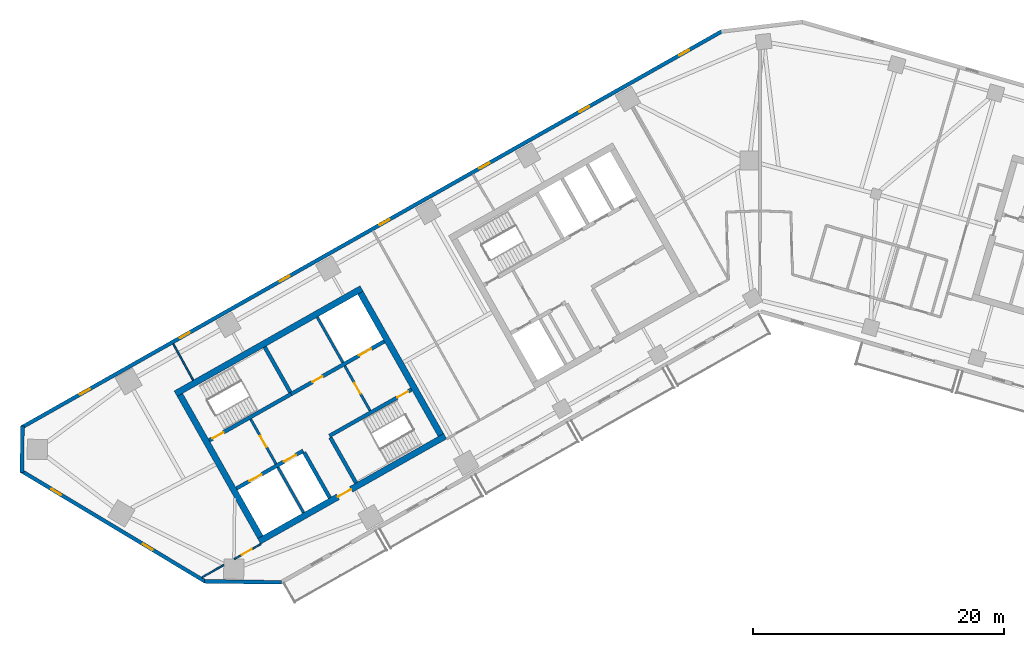
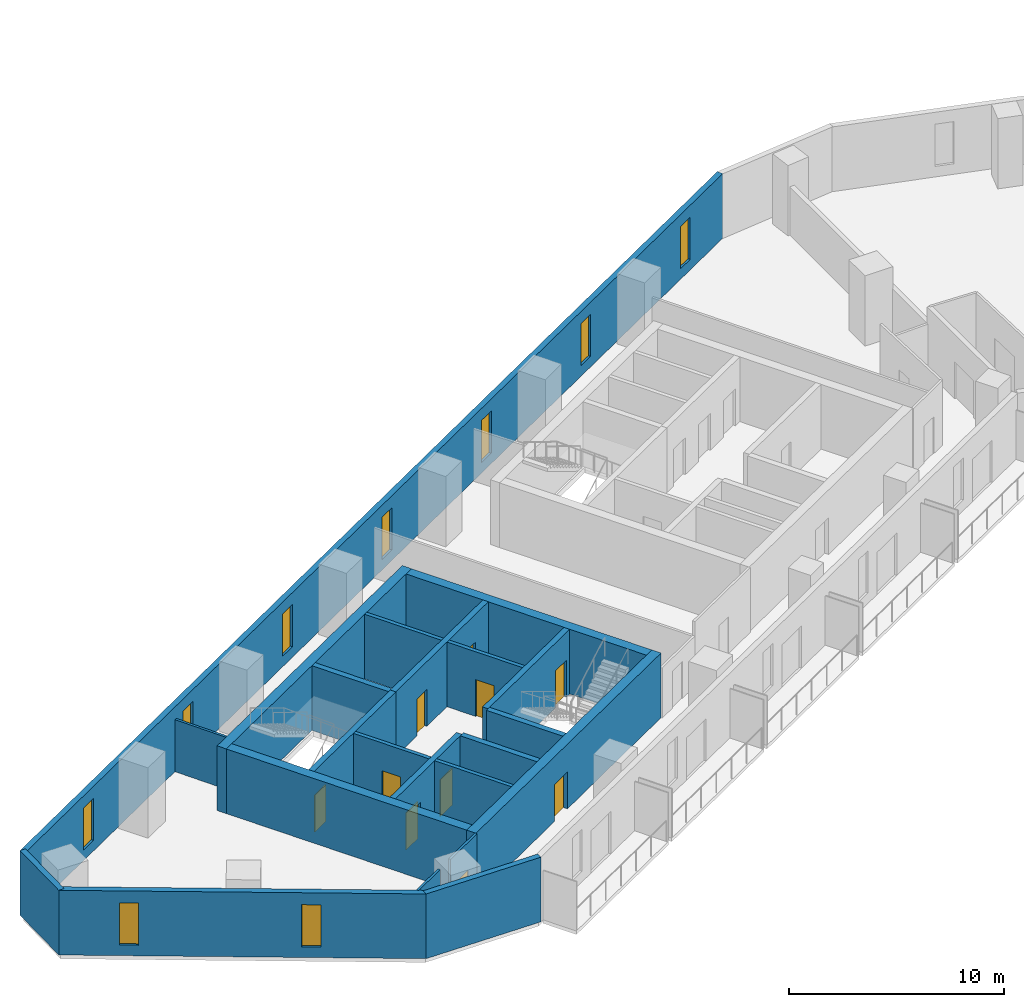
# One storey, part 3 of 9: 22 walls, 10 doors, 9 windows, 19 openings.
"""IFC4 building model written with IfcOpenShell, lengths in metres."""

from ifc_helpers import new_model, si_unit, direction, frame, frame_2d, origin, place, context, subcontext, project, spatial, rectangle, extrude, material, layer, layer_set, type_object, element, fill, save


model = new_model("IFC4")

# Units and contexts
model_context = context("Model", 3, precision=1e-05, world=origin(), true_north=direction((0.0, 1.0)))
body_context = subcontext(model_context, "Body", "Model", "MODEL_VIEW")
ifc_project = project(units=[si_unit("LENGTHUNIT", "METRE"), si_unit("AREAUNIT", "SQUARE_METRE"), si_unit("VOLUMEUNIT", "CUBIC_METRE"), si_unit("PLANEANGLEUNIT", "RADIAN"), si_unit("MASSUNIT", "GRAM", prefix="KILO")], contexts=[model_context])

# Site, building, storey
site_placement = place(None, origin())
site = spatial("IfcSite", under=ifc_project, at=site_placement, CompositionType="ELEMENT")
building_placement = place(site_placement, origin())
building = spatial("IfcBuilding", under=site, at=building_placement, Name="Binnacle Exchange Tower", CompositionType="ELEMENT")
storey_placement = place(building_placement, frame((0.0, 0.0, 158.89990234375)))
storey = spatial("IfcBuildingStorey", under=building, at=storey_placement, Name="L33", CompositionType="ELEMENT", Elevation=158.89990234375)

# Wall, openings, doors
ifc_material_1 = material(Name="Concrete C70/85", Category="concrete")
ifc_layer_1 = layer(ifc_material_1, 0.300048828125)
ifc_layer_set_1 = layer_set([ifc_layer_1], Name="Core wall - front 300")
wall_type_1 = type_object("IfcWallType", Name="Core wall - front 300", PredefinedType="SOLIDWALL", material=ifc_layer_set_1)
wall_1_placement = place(storey_placement, frame((-41.64306640625, 33.91162109375, 0.0), z_axis=(0.0, 0.0, 1.0), x_axis=(0.870343599782, 0.492444939378, 0.0)))
wall_1 = element("IfcWall", 1, at=wall_1_placement, inside=storey, type_object=wall_type_1, Name="Core wall CRWA2", PredefinedType="SOLIDWALL", context=body_context, shape_type="SweptSolid", body=[
    extrude(rectangle(XDim=6.10009765625, YDim=0.300048828125, at=frame_2d((3.050048828125, 0.0))), origin(), (0.0, 0.0, 1.0), 3.68017578125),
])
opening_1_placement = place(wall_1_placement, frame((1.199951171875, 0.0, 0.0)))
opening_1 = element("IfcOpeningElement", 2, at=opening_1_placement, cuts=wall_1, Name="Opening LD12", PredefinedType="OPENING", context=body_context, shape_type="SweptSolid", body=[
    extrude(rectangle(XDim=1.10009765625, YDim=2.10009765625, at=frame_2d((0.550048828125, 1.050048828125))), frame((0.0, 0.159912109375, 0.0), z_axis=(0.0, -1.0, 0.0), x_axis=(1.0, 0.0, 0.0)), (0.0, 0.0, 1.0), 0.320068359375),
])
opening_2_placement = place(wall_1_placement, frame((4.35009765625, 0.0, 0.0)))
opening_2 = element("IfcOpeningElement", 3, at=opening_2_placement, cuts=wall_1, Name="Opening LD8", PredefinedType="OPENING", context=body_context, shape_type="SweptSolid", body=[
    extrude(rectangle(XDim=1.10009765625, YDim=2.10009765625, at=frame_2d((0.550048828125, 1.050048828125))), frame((0.0, 0.159912109375, 0.0), z_axis=(0.0, -1.0, 0.0), x_axis=(1.0, 0.0, 0.0)), (0.0, 0.0, 1.0), 0.320068359375),
])
ifc_material_2 = material(Name="Steel door leaf", Category="steel")
door_type_1 = type_object("IfcDoorType", Name="Fire door - lift landing 1100", OperationType="NOTDEFINED", PredefinedType="DOOR", material=ifc_material_2)
door_1_placement = place(opening_1_placement, origin())
door_1 = element("IfcDoor", 4, at=door_1_placement, inside=storey, type_object=door_type_1, Name="Landing door LD12 L33", OperationType="DOUBLE_DOOR_SLIDING", OverallHeight=2.10009765625, OverallWidth=1.10009765625, PredefinedType="DOOR", context=body_context, shape_type="SweptSolid", body=[
    extrude(rectangle(XDim=1.10009765625, YDim=2.10009765625, at=frame_2d((0.550048828125, 1.050048828125))), frame((0.0, 0.02490234375, 0.0), z_axis=(0.0, -1.0, 0.0), x_axis=(1.0, 0.0, 0.0)), (0.0, 0.0, 1.0), 0.050048828125),
])
fill(opening_1, door_1)
door_2_placement = place(opening_2_placement, origin())
door_2 = element("IfcDoor", 5, at=door_2_placement, inside=storey, type_object=door_type_1, Name="Landing door LD8 L33", OperationType="DOUBLE_DOOR_SLIDING", OverallHeight=2.10009765625, OverallWidth=1.10009765625, PredefinedType="DOOR", context=body_context, shape_type="SweptSolid", body=[
    extrude(rectangle(XDim=1.10009765625, YDim=2.10009765625, at=frame_2d((0.550048828125, 1.050048828125))), frame((0.0, 0.02490234375, 0.0), z_axis=(0.0, -1.0, 0.0), x_axis=(1.0, 0.0, 0.0)), (0.0, 0.0, 1.0), 0.050048828125),
])
fill(opening_2, door_2)

wall_2_placement = place(storey_placement, frame((-37.281982421875, 41.4345703125, 0.0), z_axis=(0.0, 0.0, 1.0), x_axis=(0.870356271124, 0.492422543467, 0.0)))
wall_2 = element("IfcWall", 6, at=wall_2_placement, inside=storey, type_object=wall_type_1, Name="Core wall CRWA5", PredefinedType="SOLIDWALL", context=body_context, shape_type="SweptSolid", body=[
    extrude(rectangle(XDim=8.5, YDim=0.300048828125, at=frame_2d((4.25, 0.0))), origin(), (0.0, 0.0, 1.0), 3.68017578125),
])
opening_3_placement = place(wall_2_placement, frame((6.199951171875, 0.0, 0.0)))
opening_3 = element("IfcOpeningElement", 7, at=opening_3_placement, cuts=wall_2, Name="Opening LD13", PredefinedType="OPENING", context=body_context, shape_type="SweptSolid", body=[
    extrude(rectangle(XDim=1.10009765625, YDim=2.10009765625, at=frame_2d((0.550048828125, 1.050048828125))), frame((0.0, 0.159912109375, 0.0), z_axis=(0.0, -1.0, 0.0), x_axis=(1.0, 0.0, 0.0)), (0.0, 0.0, 1.0), 0.320068359375),
])
opening_4_placement = place(wall_2_placement, frame((1.949951171875, 0.0, 0.0)))
opening_4 = element("IfcOpeningElement", 8, at=opening_4_placement, cuts=wall_2, Name="Opening DA10", PredefinedType="OPENING", context=body_context, shape_type="SweptSolid", body=[
    extrude(rectangle(XDim=0.89990234375, YDim=2.10009765625, at=frame_2d((0.449951171875, 1.050048828125))), frame((0.0, 0.159912109375, 0.0), z_axis=(0.0, -1.0, 0.0), x_axis=(1.0, 0.0, 0.0)), (0.0, 0.0, 1.0), 0.320068359375),
])
door_3_placement = place(opening_3_placement, origin())
door_3 = element("IfcDoor", 9, at=door_3_placement, inside=storey, type_object=door_type_1, Name="Landing door LD13 L33", OperationType="DOUBLE_DOOR_SLIDING", OverallHeight=2.10009765625, OverallWidth=1.10009765625, PredefinedType="DOOR", context=body_context, shape_type="SweptSolid", body=[
    extrude(rectangle(XDim=1.10009765625, YDim=2.10009765625, at=frame_2d((0.550048828125, 1.050048828125))), frame((0.0, 0.02490234375, 0.0), z_axis=(0.0, -1.0, 0.0), x_axis=(1.0, 0.0, 0.0)), (0.0, 0.0, 1.0), 0.050048828125),
])
fill(opening_3, door_3)
door_type_2 = type_object("IfcDoorType", Name="Fire door 900", OperationType="NOTDEFINED", PredefinedType="DOOR", material=ifc_material_2)
door_4_placement = place(opening_4_placement, origin())
door_4 = element("IfcDoor", 10, at=door_4_placement, inside=storey, type_object=door_type_2, Name="Core room door PANTRY", OperationType="SINGLE_SWING_LEFT", OverallHeight=2.10009765625, OverallWidth=0.89990234375, PredefinedType="DOOR", context=body_context, shape_type="SweptSolid", body=[
    extrude(rectangle(XDim=0.89990234375, YDim=2.10009765625, at=frame_2d((0.449951171875, 1.050048828125))), frame((0.0, 0.02490234375, 0.0), z_axis=(0.0, -1.0, 0.0), x_axis=(1.0, 0.0, 0.0)), (0.0, 0.0, 1.0), 0.050048828125),
])
fill(opening_4, door_4)

# Wall
wall_3_placement = place(storey_placement, frame((-36.260009765625, 36.784912109375, 0.0), z_axis=(0.0, 0.0, 1.0), x_axis=(0.492421666909, -0.870356767055, 0.0)))
element("IfcWall", 11, at=wall_3_placement, inside=storey, type_object=wall_type_1, Name="Core wall CRWA13", PredefinedType="SOLIDWALL", context=body_context, shape_type="SweptSolid", body=[
    extrude(rectangle(XDim=4.14990234375, YDim=0.300048828125, at=frame_2d((2.074951171875, 0.0))), origin(), (0.0, 0.0, 1.0), 3.68017578125),
])

# Wall, opening, door
ifc_layer_2 = layer(ifc_material_1, 0.5)
ifc_layer_set_2 = layer_set([ifc_layer_2], Name="Core wall - outer 500")
wall_type_2 = type_object("IfcWallType", Name="Core wall - outer 500", PredefinedType="SOLIDWALL", material=ifc_layer_set_2)
wall_4_placement = place(storey_placement, frame((-39.837646484375, 29.705322265625, 0.0), z_axis=(0.0, 0.0, 1.0), x_axis=(0.870350116061, 0.492433422375, 0.0)))
wall_4 = element("IfcWall", 12, at=wall_4_placement, inside=storey, type_object=wall_type_2, Name="Core wall CRWA1", PredefinedType="SOLIDWALL", context=body_context, shape_type="SweptSolid", body=[
    extrude(rectangle(XDim=17.0, YDim=0.5, at=frame_2d((8.5, 0.0))), origin(), (0.0, 0.0, 1.0), 3.68017578125),
])
opening_5_placement = place(wall_4_placement, frame((7.199951171875, 0.0, 0.0)))
opening_5 = element("IfcOpeningElement", 13, at=opening_5_placement, cuts=wall_4, Name="Opening DA7", PredefinedType="OPENING", context=body_context, shape_type="SweptSolid", body=[
    extrude(rectangle(XDim=1.199951171875, YDim=2.10009765625, at=frame_2d((0.60009765625, 1.050048828125))), frame((0.0, 0.260009765625, 0.0), z_axis=(0.0, -1.0, 0.0), x_axis=(1.0, 0.0, 0.0)), (0.0, 0.0, 1.0), 0.52001953125),
])
door_type_3 = type_object("IfcDoorType", Name="Fire door 1200", OperationType="NOTDEFINED", PredefinedType="DOOR", material=ifc_material_2)
door_5_placement = place(opening_5_placement, frame((1.199951171875, 0.0, 0.0), z_axis=(0.0, 0.0, 1.0), x_axis=(-1.0, 0.0, 0.0)))
door_5 = element("IfcDoor", 14, at=door_5_placement, inside=storey, type_object=door_type_3, Name="Lift lobby entrance door core A", OperationType="SINGLE_SWING_RIGHT", OverallHeight=2.10009765625, OverallWidth=1.199951171875, PredefinedType="DOOR", context=body_context, shape_type="SweptSolid", body=[
    extrude(rectangle(XDim=1.199951171875, YDim=2.10009765625, at=frame_2d((0.60009765625, 1.050048828125))), frame((0.0, 0.02490234375, 0.0), z_axis=(0.0, -1.0, 0.0), x_axis=(1.0, 0.0, 0.0)), (0.0, 0.0, 1.0), 0.050048828125),
])
fill(opening_5, door_5)

# Walls
wall_5_placement = place(storey_placement, frame((-46.485595703125, 41.455078125, 0.0), z_axis=(0.0, 0.0, 1.0), x_axis=(0.870353598469, 0.492427267353, 0.0)))
element("IfcWall", 15, at=wall_5_placement, inside=storey, type_object=wall_type_2, Name="Core wall CRWA6", PredefinedType="SOLIDWALL", context=body_context, shape_type="SweptSolid", body=[
    extrude(rectangle(XDim=17.000244140625, YDim=0.5, at=frame_2d((8.5, 0.0))), origin(), (0.0, 0.0, 1.0), 3.68017578125),
])
for number, where, z_axis, x_axis, name in (
    (16, (-46.144775390625, 41.360595703125, 0.0), (0.0, 0.0, 1.0), (0.492435316254, -0.870349044525, 0.0), "Core wall CRWA7"),
    (17, (-31.783935546875, 49.485595703125, 0.0), (0.0, 0.0, 1.0), (0.492435316254, -0.870349044525, 0.0), "Core wall CRWA22"),
):
    element("IfcWall", number, at=place(storey_placement, frame(where, z_axis=z_axis, x_axis=x_axis)), inside=storey, type_object=wall_type_2, Name=name, PredefinedType="SOLIDWALL", context=body_context, shape_type="SweptSolid", body=[
        extrude(rectangle(XDim=13.0, YDim=0.5, at=frame_2d((6.5, 0.0))), origin(), (0.0, 0.0, 1.0), 3.68017578125),
    ])

# Wall, opening, door
ifc_layer_3 = layer(ifc_material_1, 0.300048828125)
ifc_layer_set_3 = layer_set([ifc_layer_3], Name="Core wall - stair 300")
wall_type_3 = type_object("IfcWallType", Name="Core wall - stair 300", PredefinedType="SOLIDWALL", material=ifc_layer_set_3)
wall_6_placement = place(storey_placement, frame((-34.2451171875, 38.097412109375, 0.0), z_axis=(0.0, 0.0, 1.0), x_axis=(0.870364520461, 0.492407962489, 0.0)))
wall_6 = element("IfcWall", 18, at=wall_6_placement, inside=storey, type_object=wall_type_3, Name="Core wall CRWA3", PredefinedType="SOLIDWALL", context=body_context, shape_type="SweptSolid", body=[
    extrude(rectangle(XDim=7.5, YDim=0.300048828125, at=frame_2d((3.75, 0.0))), origin(), (0.0, 0.0, 1.0), 3.68017578125),
])
opening_6_placement = place(wall_6_placement, frame((6.199951171875, 0.0, 0.0)))
opening_6 = element("IfcOpeningElement", 19, at=opening_6_placement, cuts=wall_6, Name="Opening DA2", PredefinedType="OPENING", context=body_context, shape_type="SweptSolid", body=[
    extrude(rectangle(XDim=1.0, YDim=2.10009765625, at=frame_2d((0.5, 1.050048828125))), frame((0.0, 0.159912109375, 0.0), z_axis=(0.0, -1.0, 0.0), x_axis=(1.0, 0.0, 0.0)), (0.0, 0.0, 1.0), 0.320068359375),
])
door_type_4 = type_object("IfcDoorType", Name="Fire door 1000", OperationType="NOTDEFINED", PredefinedType="DOOR", material=ifc_material_2)
door_6_placement = place(opening_6_placement, frame((1.0, 0.0, 0.0), z_axis=(0.0, 0.0, 1.0), x_axis=(-1.0, 0.0, 0.0)))
door_6 = element("IfcDoor", 20, at=door_6_placement, inside=storey, type_object=door_type_4, Name="Stair door ST-A2", OperationType="SINGLE_SWING_LEFT", OverallHeight=2.10009765625, OverallWidth=1.0, PredefinedType="DOOR", context=body_context, shape_type="SweptSolid", body=[
    extrude(rectangle(XDim=1.0, YDim=2.10009765625, at=frame_2d((0.5, 1.050048828125))), frame((0.0, 0.02490234375, 0.0), z_axis=(0.0, -1.0, 0.0), x_axis=(1.0, 0.0, 0.0)), (0.0, 0.0, 1.0), 0.050048828125),
])
fill(opening_6, door_6)

wall_7_placement = place(storey_placement, frame((-43.809814453125, 37.7412109375, 0.0), z_axis=(0.0, 0.0, 1.0), x_axis=(0.870350569555, 0.492432620848, 0.0)))
wall_7 = element("IfcWall", 21, at=wall_7_placement, inside=storey, type_object=wall_type_3, Name="Core wall CRWA4", PredefinedType="SOLIDWALL", context=body_context, shape_type="SweptSolid", body=[
    extrude(rectangle(XDim=7.500244140625, YDim=0.300048828125, at=frame_2d((3.75, 0.0))), origin(), (0.0, 0.0, 1.0), 3.68017578125),
])
opening_7_placement = place(wall_7_placement, frame((0.2998046875, 0.0, 0.0)))
opening_7 = element("IfcOpeningElement", 22, at=opening_7_placement, cuts=wall_7, Name="Opening DA1", PredefinedType="OPENING", context=body_context, shape_type="SweptSolid", body=[
    extrude(rectangle(XDim=1.0, YDim=2.10009765625, at=frame_2d((0.5, 1.050048828125))), frame((0.0, 0.159912109375, 0.0), z_axis=(0.0, -1.0, 0.0), x_axis=(1.0, 0.0, 0.0)), (0.0, 0.0, 1.0), 0.320068359375),
])
door_7_placement = place(opening_7_placement, origin())
door_7 = element("IfcDoor", 23, at=door_7_placement, inside=storey, type_object=door_type_4, Name="Stair door ST-A1", OperationType="SINGLE_SWING_LEFT", OverallHeight=2.10009765625, OverallWidth=1.0, PredefinedType="DOOR", context=body_context, shape_type="SweptSolid", body=[
    extrude(rectangle(XDim=1.0, YDim=2.10009765625, at=frame_2d((0.5, 1.050048828125))), frame((0.0, 0.02490234375, 0.0), z_axis=(0.0, -1.0, 0.0), x_axis=(1.0, 0.0, 0.0)), (0.0, 0.0, 1.0), 0.050048828125),
])
fill(opening_7, door_7)

# Walls
for number, where, z_axis, x_axis, name in (
    (24, (-39.3994140625, 45.177001953125, 0.0), (0.0, 0.0, 1.0), (0.492396453737, -0.870371031427, 0.0), "Core wall CRWA14"),
    (25, (-34.171142578125, 37.966796875, 0.0), (0.0, 0.0, 1.0), (0.492396453737, -0.870371031427, 0.0), "Core wall CRWA16"),
):
    element("IfcWall", number, at=place(storey_placement, frame(where, z_axis=z_axis, x_axis=x_axis)), inside=storey, type_object=wall_type_3, Name=name, PredefinedType="SOLIDWALL", context=body_context, shape_type="SweptSolid", body=[
        extrude(rectangle(XDim=4.14990234375, YDim=0.300048828125, at=frame_2d((2.074951171875, 0.0))), origin(), (0.0, 0.0, 1.0), 3.68017578125),
    ])
ifc_material_3 = material(Name="Bronze aluminium cladding", Category="aluminium")
ifc_layer_4 = layer(ifc_material_3, 0.300048828125)
ifc_layer_set_4 = layer_set([ifc_layer_4], Name="External wall - spandrel 300")
wall_type_4 = type_object("IfcWallType", Name="External wall - spandrel 300", PredefinedType="STANDARD", material=ifc_layer_set_4)
wall_8_placement = place(storey_placement, frame((-38.057373046875, 26.44482421875, 0.0), z_axis=(0.0, 0.0, 1.0), x_axis=(-0.999914086342, 0.013108010296, 0.0)))
element("IfcWall", 26, at=wall_8_placement, inside=storey, type_object=wall_type_4, Name="External wall EW-G00 L33", PredefinedType="STANDARD", context=body_context, shape_type="SweptSolid", body=[
    extrude(rectangle(XDim=6.127685546875, YDim=0.300048828125, at=frame_2d((3.06396484375, 0.0))), origin(), (0.0, 0.0, 1.0), 3.68017578125),
])

# Wall, openings, windows
wall_9_placement = place(storey_placement, frame((-58.744873046875, 38.763671875, 0.0), z_axis=(0.0, 0.0, 1.0), x_axis=(0.870355811726, 0.492423355453, 0.0)))
wall_9 = element("IfcWall", 27, at=wall_9_placement, inside=storey, type_object=wall_type_4, Name="External wall EW-G08 L33", PredefinedType="STANDARD", context=body_context, shape_type="SweptSolid", body=[
    extrude(rectangle(XDim=64.025390625, YDim=0.300048828125, at=frame_2d((32.0126953125, 0.0))), origin(), (0.0, 0.0, 1.0), 3.68017578125),
])
opening_8_placement = place(wall_9_placement, frame((60.12158203125, 0.0, 0.60009765625)))
opening_8 = element("IfcOpeningElement", 28, at=opening_8_placement, cuts=wall_9, Name="Opening WS3", PredefinedType="OPENING", context=body_context, shape_type="SweptSolid", body=[
    extrude(rectangle(XDim=0.89990234375, YDim=2.39990234375, at=frame_2d((0.449951171875, 1.199951171875))), frame((0.0, 0.159912109375, 0.0), z_axis=(0.0, -1.0, 0.0), x_axis=(1.0, 0.0, 0.0)), (0.0, 0.0, 1.0), 0.320068359375),
])
opening_9_placement = place(wall_9_placement, frame((50.99169921875, 0.0, 0.60009765625)))
opening_9 = element("IfcOpeningElement", 29, at=opening_9_placement, cuts=wall_9, Name="Opening WS3", PredefinedType="OPENING", context=body_context, shape_type="SweptSolid", body=[
    extrude(rectangle(XDim=0.89990234375, YDim=2.39990234375, at=frame_2d((0.449951171875, 1.199951171875))), frame((0.0, 0.159912109375, 0.0), z_axis=(0.0, -1.0, 0.0), x_axis=(1.0, 0.0, 0.0)), (0.0, 0.0, 1.0), 0.320068359375),
])
opening_10_placement = place(wall_9_placement, frame((41.86181640625, 0.0, 0.60009765625)))
opening_10 = element("IfcOpeningElement", 30, at=opening_10_placement, cuts=wall_9, Name="Opening WS3", PredefinedType="OPENING", context=body_context, shape_type="SweptSolid", body=[
    extrude(rectangle(XDim=0.89990234375, YDim=2.39990234375, at=frame_2d((0.449951171875, 1.199951171875))), frame((0.0, 0.159912109375, 0.0), z_axis=(0.0, -1.0, 0.0), x_axis=(1.0, 0.0, 0.0)), (0.0, 0.0, 1.0), 0.320068359375),
])
opening_11_placement = place(wall_9_placement, frame((32.73193359375, 0.0, 0.60009765625)))
opening_11 = element("IfcOpeningElement", 31, at=opening_11_placement, cuts=wall_9, Name="Opening WS3", PredefinedType="OPENING", context=body_context, shape_type="SweptSolid", body=[
    extrude(rectangle(XDim=0.89990234375, YDim=2.39990234375, at=frame_2d((0.449951171875, 1.199951171875))), frame((0.0, 0.159912109375, 0.0), z_axis=(0.0, -1.0, 0.0), x_axis=(1.0, 0.0, 0.0)), (0.0, 0.0, 1.0), 0.320068359375),
])
opening_12_placement = place(wall_9_placement, frame((23.60205078125, 0.0, 0.60009765625)))
opening_12 = element("IfcOpeningElement", 32, at=opening_12_placement, cuts=wall_9, Name="Opening WS3", PredefinedType="OPENING", context=body_context, shape_type="SweptSolid", body=[
    extrude(rectangle(XDim=0.89990234375, YDim=2.39990234375, at=frame_2d((0.449951171875, 1.199951171875))), frame((0.0, 0.159912109375, 0.0), z_axis=(0.0, -1.0, 0.0), x_axis=(1.0, 0.0, 0.0)), (0.0, 0.0, 1.0), 0.320068359375),
])
opening_13_placement = place(wall_9_placement, frame((14.47216796875, 0.0, 0.60009765625)))
opening_13 = element("IfcOpeningElement", 33, at=opening_13_placement, cuts=wall_9, Name="Opening WS3", PredefinedType="OPENING", context=body_context, shape_type="SweptSolid", body=[
    extrude(rectangle(XDim=0.89990234375, YDim=2.39990234375, at=frame_2d((0.449951171875, 1.199951171875))), frame((0.0, 0.159912109375, 0.0), z_axis=(0.0, -1.0, 0.0), x_axis=(1.0, 0.0, 0.0)), (0.0, 0.0, 1.0), 0.320068359375),
])
opening_14_placement = place(wall_9_placement, frame((5.34228515625, 0.0, 0.60009765625)))
opening_14 = element("IfcOpeningElement", 34, at=opening_14_placement, cuts=wall_9, Name="Opening WS3", PredefinedType="OPENING", context=body_context, shape_type="SweptSolid", body=[
    extrude(rectangle(XDim=0.89990234375, YDim=2.39990234375, at=frame_2d((0.449951171875, 1.199951171875))), frame((0.0, 0.159912109375, 0.0), z_axis=(0.0, -1.0, 0.0), x_axis=(1.0, 0.0, 0.0)), (0.0, 0.0, 1.0), 0.320068359375),
])
ifc_material_4 = material(Name="Bronze anodised aluminium frame", Category="aluminium")
window_type = type_object("IfcWindowType", Name="WS3 WINDOW 900x2400", PartitioningType="SINGLE_PANEL", PredefinedType="WINDOW", material=ifc_material_4)
window_1_placement = place(opening_8_placement, origin())
window_1 = element("IfcWindow", 35, at=window_1_placement, inside=storey, type_object=window_type, Name="Window WS3 L33", OverallHeight=2.39990234375, OverallWidth=0.89990234375, PartitioningType="SINGLE_PANEL", PredefinedType="WINDOW", context=body_context, shape_type="SweptSolid", body=[
    extrude(rectangle(XDim=0.89990234375, YDim=2.39990234375, at=frame_2d((0.449951171875, 1.199951171875))), frame((0.0, 0.030029296875, 0.0), z_axis=(0.0, -1.0, 0.0), x_axis=(1.0, 0.0, 0.0)), (0.0, 0.0, 1.0), 0.06005859375),
])
fill(opening_8, window_1)
window_2_placement = place(opening_9_placement, origin())
window_2 = element("IfcWindow", 36, at=window_2_placement, inside=storey, type_object=window_type, Name="Window WS3 L33", OverallHeight=2.39990234375, OverallWidth=0.89990234375, PartitioningType="SINGLE_PANEL", PredefinedType="WINDOW", context=body_context, shape_type="SweptSolid", body=[
    extrude(rectangle(XDim=0.89990234375, YDim=2.39990234375, at=frame_2d((0.449951171875, 1.199951171875))), frame((0.0, 0.030029296875, 0.0), z_axis=(0.0, -1.0, 0.0), x_axis=(1.0, 0.0, 0.0)), (0.0, 0.0, 1.0), 0.06005859375),
])
fill(opening_9, window_2)
window_3_placement = place(opening_10_placement, origin())
window_3 = element("IfcWindow", 37, at=window_3_placement, inside=storey, type_object=window_type, Name="Window WS3 L33", OverallHeight=2.39990234375, OverallWidth=0.89990234375, PartitioningType="SINGLE_PANEL", PredefinedType="WINDOW", context=body_context, shape_type="SweptSolid", body=[
    extrude(rectangle(XDim=0.89990234375, YDim=2.39990234375, at=frame_2d((0.449951171875, 1.199951171875))), frame((0.0, 0.030029296875, 0.0), z_axis=(0.0, -1.0, 0.0), x_axis=(1.0, 0.0, 0.0)), (0.0, 0.0, 1.0), 0.06005859375),
])
fill(opening_10, window_3)
window_4_placement = place(opening_11_placement, origin())
window_4 = element("IfcWindow", 38, at=window_4_placement, inside=storey, type_object=window_type, Name="Window WS3 L33", OverallHeight=2.39990234375, OverallWidth=0.89990234375, PartitioningType="SINGLE_PANEL", PredefinedType="WINDOW", context=body_context, shape_type="SweptSolid", body=[
    extrude(rectangle(XDim=0.89990234375, YDim=2.39990234375, at=frame_2d((0.449951171875, 1.199951171875))), frame((0.0, 0.030029296875, 0.0), z_axis=(0.0, -1.0, 0.0), x_axis=(1.0, 0.0, 0.0)), (0.0, 0.0, 1.0), 0.06005859375),
])
fill(opening_11, window_4)
window_5_placement = place(opening_12_placement, origin())
window_5 = element("IfcWindow", 39, at=window_5_placement, inside=storey, type_object=window_type, Name="Window WS3 L33", OverallHeight=2.39990234375, OverallWidth=0.89990234375, PartitioningType="SINGLE_PANEL", PredefinedType="WINDOW", context=body_context, shape_type="SweptSolid", body=[
    extrude(rectangle(XDim=0.89990234375, YDim=2.39990234375, at=frame_2d((0.449951171875, 1.199951171875))), frame((0.0, 0.030029296875, 0.0), z_axis=(0.0, -1.0, 0.0), x_axis=(1.0, 0.0, 0.0)), (0.0, 0.0, 1.0), 0.06005859375),
])
fill(opening_12, window_5)
window_6_placement = place(opening_13_placement, origin())
window_6 = element("IfcWindow", 40, at=window_6_placement, inside=storey, type_object=window_type, Name="Window WS3 L33", OverallHeight=2.39990234375, OverallWidth=0.89990234375, PartitioningType="SINGLE_PANEL", PredefinedType="WINDOW", context=body_context, shape_type="SweptSolid", body=[
    extrude(rectangle(XDim=0.89990234375, YDim=2.39990234375, at=frame_2d((0.449951171875, 1.199951171875))), frame((0.0, 0.030029296875, 0.0), z_axis=(0.0, -1.0, 0.0), x_axis=(1.0, 0.0, 0.0)), (0.0, 0.0, 1.0), 0.06005859375),
])
fill(opening_13, window_6)
window_7_placement = place(opening_14_placement, origin())
window_7 = element("IfcWindow", 41, at=window_7_placement, inside=storey, type_object=window_type, Name="Window WS3 L33", OverallHeight=2.39990234375, OverallWidth=0.89990234375, PartitioningType="SINGLE_PANEL", PredefinedType="WINDOW", context=body_context, shape_type="SweptSolid", body=[
    extrude(rectangle(XDim=0.89990234375, YDim=2.39990234375, at=frame_2d((0.449951171875, 1.199951171875))), frame((0.0, 0.030029296875, 0.0), z_axis=(0.0, -1.0, 0.0), x_axis=(1.0, 0.0, 0.0)), (0.0, 0.0, 1.0), 0.06005859375),
])
fill(opening_14, window_7)

# Wall
wall_10_placement = place(storey_placement, frame((-58.717041015625, 35.19384765625, 0.0), z_axis=(0.0, 0.0, 1.0), x_axis=(0.013069053407, 0.999914596275, 0.0)))
element("IfcWall", 42, at=wall_10_placement, inside=storey, type_object=wall_type_4, Name="External wall EW-G09 L33", PredefinedType="STANDARD", context=body_context, shape_type="SweptSolid", body=[
    extrude(rectangle(XDim=3.69873046875, YDim=0.300048828125, at=frame_2d((1.849365234375, 0.0))), origin(), (0.0, 0.0, 1.0), 3.68017578125),
])

# Wall, openings, windows
wall_11_placement = place(storey_placement, frame((-44.109375, 26.503662109375, 0.0), z_axis=(0.0, 0.0, 1.0), x_axis=(-0.857169502585, 0.515034410344, 0.0)))
wall_11 = element("IfcWall", 43, at=wall_11_placement, inside=storey, type_object=wall_type_4, Name="External wall EW-G10 L33", PredefinedType="STANDARD", context=body_context, shape_type="SweptSolid", body=[
    extrude(rectangle(XDim=17.126708984375, YDim=0.300048828125, at=frame_2d((8.5634765625, 0.0))), origin(), (0.0, 0.0, 1.0), 3.68017578125),
])
opening_15_placement = place(wall_11_placement, frame((13.403076171875, 0.0, 0.60009765625)))
opening_15 = element("IfcOpeningElement", 44, at=opening_15_placement, cuts=wall_11, Name="Opening WS3", PredefinedType="OPENING", context=body_context, shape_type="SweptSolid", body=[
    extrude(rectangle(XDim=0.89990234375, YDim=2.39990234375, at=frame_2d((0.449951171875, 1.199951171875))), frame((0.0, 0.159912109375, 0.0), z_axis=(0.0, -1.0, 0.0), x_axis=(1.0, 0.0, 0.0)), (0.0, 0.0, 1.0), 0.320068359375),
])
opening_16_placement = place(wall_11_placement, frame((4.903076171875, 0.0, 0.60009765625)))
opening_16 = element("IfcOpeningElement", 45, at=opening_16_placement, cuts=wall_11, Name="Opening WS3", PredefinedType="OPENING", context=body_context, shape_type="SweptSolid", body=[
    extrude(rectangle(XDim=0.89990234375, YDim=2.39990234375, at=frame_2d((0.449951171875, 1.199951171875))), frame((0.0, 0.159912109375, 0.0), z_axis=(0.0, -1.0, 0.0), x_axis=(1.0, 0.0, 0.0)), (0.0, 0.0, 1.0), 0.320068359375),
])
window_8_placement = place(opening_15_placement, origin())
window_8 = element("IfcWindow", 46, at=window_8_placement, inside=storey, type_object=window_type, Name="Window WS3 L33", OverallHeight=2.39990234375, OverallWidth=0.89990234375, PartitioningType="SINGLE_PANEL", PredefinedType="WINDOW", context=body_context, shape_type="SweptSolid", body=[
    extrude(rectangle(XDim=0.89990234375, YDim=2.39990234375, at=frame_2d((0.449951171875, 1.199951171875))), frame((0.0, 0.030029296875, 0.0), z_axis=(0.0, -1.0, 0.0), x_axis=(1.0, 0.0, 0.0)), (0.0, 0.0, 1.0), 0.06005859375),
])
fill(opening_15, window_8)
window_9_placement = place(opening_16_placement, origin())
window_9 = element("IfcWindow", 47, at=window_9_placement, inside=storey, type_object=window_type, Name="Window WS3 L33", OverallHeight=2.39990234375, OverallWidth=0.89990234375, PartitioningType="SINGLE_PANEL", PredefinedType="WINDOW", context=body_context, shape_type="SweptSolid", body=[
    extrude(rectangle(XDim=0.89990234375, YDim=2.39990234375, at=frame_2d((0.449951171875, 1.199951171875))), frame((0.0, 0.030029296875, 0.0), z_axis=(0.0, -1.0, 0.0), x_axis=(1.0, 0.0, 0.0)), (0.0, 0.0, 1.0), 0.06005859375),
])
fill(opening_16, window_9)

# Wall, opening, door
ifc_material_5 = material(Name="Masonry block wall", Category="masonry")
ifc_layer_5 = layer(ifc_material_5, 0.199951171875)
ifc_layer_set_5 = layer_set([ifc_layer_5], Name="Fire wall - vestibule 200")
wall_type_5 = type_object("IfcWallType", Name="Fire wall - vestibule 200", PredefinedType="PARTITIONING", material=ifc_layer_set_5)
wall_12_placement = place(storey_placement, frame((-40.515625, 39.4326171875, 0.0), z_axis=(0.0, 0.0, 1.0), x_axis=(0.492453559952, -0.87033872216, 0.0)))
wall_12 = element("IfcWall", 48, at=wall_12_placement, inside=storey, type_object=wall_type_5, Name="Core wall CRWA10", PredefinedType="PARTITIONING", context=body_context, shape_type="SweptSolid", body=[
    extrude(rectangle(XDim=4.099853515625, YDim=0.199951171875, at=frame_2d((2.0498046875, 0.0))), origin(), (0.0, 0.0, 1.0), 3.68017578125),
])
opening_17_placement = place(wall_12_placement, frame((1.550048828125, 0.0, 0.0)))
opening_17 = element("IfcOpeningElement", 49, at=opening_17_placement, cuts=wall_12, Name="Opening DA3", PredefinedType="OPENING", context=body_context, shape_type="SweptSolid", body=[
    extrude(rectangle(XDim=1.0, YDim=2.10009765625, at=frame_2d((0.5, 1.050048828125))), frame((0.0, 0.10986328125, 0.0), z_axis=(0.0, -1.0, 0.0), x_axis=(1.0, 0.0, 0.0)), (0.0, 0.0, 1.0), 0.219970703125),
])
door_8_placement = place(opening_17_placement, frame((1.0, 0.0, 0.0), z_axis=(0.0, 0.0, 1.0), x_axis=(-1.0, 0.0, 0.0)))
door_8 = element("IfcDoor", 50, at=door_8_placement, inside=storey, type_object=door_type_4, Name="Vestibule door VEST-W", OperationType="SINGLE_SWING_LEFT", OverallHeight=2.10009765625, OverallWidth=1.0, PredefinedType="DOOR", context=body_context, shape_type="SweptSolid", body=[
    extrude(rectangle(XDim=1.0, YDim=2.10009765625, at=frame_2d((0.5, 1.050048828125))), frame((0.0, 0.02490234375, 0.0), z_axis=(0.0, -1.0, 0.0), x_axis=(1.0, 0.0, 0.0)), (0.0, 0.0, 1.0), 0.050048828125),
])
fill(opening_17, door_8)

wall_13_placement = place(storey_placement, frame((-33.030517578125, 43.66748046875, 0.0), z_axis=(0.0, 0.0, 1.0), x_axis=(0.492408451753, -0.87036424366, 0.0)))
wall_13 = element("IfcWall", 51, at=wall_13_placement, inside=storey, type_object=wall_type_5, Name="Core wall CRWA19", PredefinedType="PARTITIONING", context=body_context, shape_type="SweptSolid", body=[
    extrude(rectangle(XDim=4.099853515625, YDim=0.199951171875, at=frame_2d((2.0498046875, 0.0))), origin(), (0.0, 0.0, 1.0), 3.68017578125),
])
opening_18_placement = place(wall_13_placement, frame((1.550048828125, 0.0, 0.0)))
opening_18 = element("IfcOpeningElement", 52, at=opening_18_placement, cuts=wall_13, Name="Opening DA4", PredefinedType="OPENING", context=body_context, shape_type="SweptSolid", body=[
    extrude(rectangle(XDim=1.0, YDim=2.10009765625, at=frame_2d((0.5, 1.050048828125))), frame((0.0, 0.10986328125, 0.0), z_axis=(0.0, -1.0, 0.0), x_axis=(1.0, 0.0, 0.0)), (0.0, 0.0, 1.0), 0.219970703125),
])
door_9_placement = place(opening_18_placement, origin())
door_9 = element("IfcDoor", 53, at=door_9_placement, inside=storey, type_object=door_type_4, Name="Vestibule door VEST-E", OperationType="SINGLE_SWING_RIGHT", OverallHeight=2.10009765625, OverallWidth=1.0, PredefinedType="DOOR", context=body_context, shape_type="SweptSolid", body=[
    extrude(rectangle(XDim=1.0, YDim=2.10009765625, at=frame_2d((0.5, 1.050048828125))), frame((0.0, 0.02490234375, 0.0), z_axis=(0.0, -1.0, 0.0), x_axis=(1.0, 0.0, 0.0)), (0.0, 0.0, 1.0), 0.050048828125),
])
fill(opening_18, door_9)

# Walls
ifc_material_6 = material(Name="Gypsum partition")
ifc_layer_6 = layer(ifc_material_6, 0.125)
ifc_layer_set_6 = layer_set([ifc_layer_6], Name="Partition 125")
wall_type_6 = type_object("IfcWallType", Name="Partition 125", PredefinedType="PARTITIONING", material=ifc_layer_set_6)
wall_14_placement = place(storey_placement, frame((-46.677978515625, 45.4189453125, 0.0), z_axis=(0.0, 0.0, 1.0), x_axis=(0.483275206546, -0.875468488718, 0.0)))
element("IfcWall", 54, at=wall_14_placement, inside=storey, type_object=wall_type_6, Name="Partition W01", PredefinedType="PARTITIONING", context=body_context, shape_type="SweptSolid", body=[
    extrude(rectangle(XDim=3.294189453125, YDim=0.125, at=frame_2d((1.64697265625, 0.0))), origin(), (0.0, 0.0, 1.0), 2.960205078125),
])
wall_15_placement = place(storey_placement, frame((-44.385986328125, 26.844970703125, 0.0), z_axis=(0.0, 0.0, 1.0), x_axis=(0.870453184796, 0.492251209322, 0.0)))
element("IfcWall", 55, at=wall_15_placement, inside=storey, type_object=wall_type_6, Name="Partition W02", PredefinedType="PARTITIONING", context=body_context, shape_type="SweptSolid", body=[
    extrude(rectangle(XDim=1.99072265625, YDim=0.125, at=frame_2d((0.995361328125, 0.0))), origin(), (0.0, 0.0, 1.0), 3.68017578125),
])

# Wall, opening, door
wall_16_placement = place(storey_placement, frame((-41.823974609375, 28.2939453125, 0.0), z_axis=(0.0, 0.0, 1.0), x_axis=(0.870189216305, 0.492717695873, 0.0)))
wall_16 = element("IfcWall", 56, at=wall_16_placement, inside=storey, type_object=wall_type_6, Name="Partition W03", PredefinedType="PARTITIONING", context=body_context, shape_type="SweptSolid", body=[
    extrude(rectangle(XDim=2.423583984375, YDim=0.125, at=frame_2d((1.2119140625, 0.0))), origin(), (0.0, 0.0, 1.0), 3.68017578125),
])
opening_19_placement = place(wall_16_placement, frame((0.699951171875, 0.0, 0.0)))
opening_19 = element("IfcOpeningElement", 57, at=opening_19_placement, cuts=wall_16, Name="Opening DL32-01", PredefinedType="OPENING", context=body_context, shape_type="SweptSolid", body=[
    extrude(rectangle(XDim=0.89990234375, YDim=2.10009765625, at=frame_2d((0.449951171875, 1.050048828125))), frame((0.0, 0.072509765625, 0.0), z_axis=(0.0, -1.0, 0.0), x_axis=(1.0, 0.0, 0.0)), (0.0, 0.0, 1.0), 0.14501953125),
])
ifc_material_7 = material(Name="Timber door leaf", Category="wood")
door_type_5 = type_object("IfcDoorType", Name="Door 900", OperationType="NOTDEFINED", PredefinedType="DOOR", material=ifc_material_7)
door_10_placement = place(opening_19_placement, origin())
door_10 = element("IfcDoor", 58, at=door_10_placement, inside=storey, type_object=door_type_5, Name="Door DL32-01", OperationType="SINGLE_SWING_LEFT", OverallHeight=2.10009765625, OverallWidth=0.89990234375, PredefinedType="DOOR", context=body_context, shape_type="SweptSolid", body=[
    extrude(rectangle(XDim=0.89990234375, YDim=2.10009765625, at=frame_2d((0.449951171875, 1.050048828125))), frame((0.0, 0.02490234375, 0.0), z_axis=(0.0, -1.0, 0.0), x_axis=(1.0, 0.0, 0.0)), (0.0, 0.0, 1.0), 0.050048828125),
])
fill(opening_19, door_10)

# Walls
ifc_layer_7 = layer(ifc_material_5, 0.199951171875)
ifc_layer_set_7 = layer_set([ifc_layer_7], Name="Shaft wall 200")
wall_type_7 = type_object("IfcWallType", Name="Shaft wall 200", PredefinedType="SOLIDWALL", material=ifc_layer_set_7)
for number, where, z_axis, x_axis, name in (
    (59, (-38.348876953125, 35.603271484375, 0.0), (0.0, 0.0, 1.0), (0.492396453737, -0.870371031427, 0.0), "Core wall CRWA9"),
    (60, (-35.2216796875, 47.54052734375, 0.0), (0.0, 0.0, 1.0), (0.492421666909, -0.870356767055, 0.0), "Core wall CRWA21"),
):
    element("IfcWall", number, at=place(storey_placement, frame(where, z_axis=z_axis, x_axis=x_axis)), inside=storey, type_object=wall_type_7, Name=name, PredefinedType="SOLIDWALL", context=body_context, shape_type="SweptSolid", body=[
        extrude(rectangle(XDim=4.14990234375, YDim=0.199951171875, at=frame_2d((2.074951171875, 0.0))), origin(), (0.0, 0.0, 1.0), 3.68017578125),
    ])

save(model, "model.ifc")
